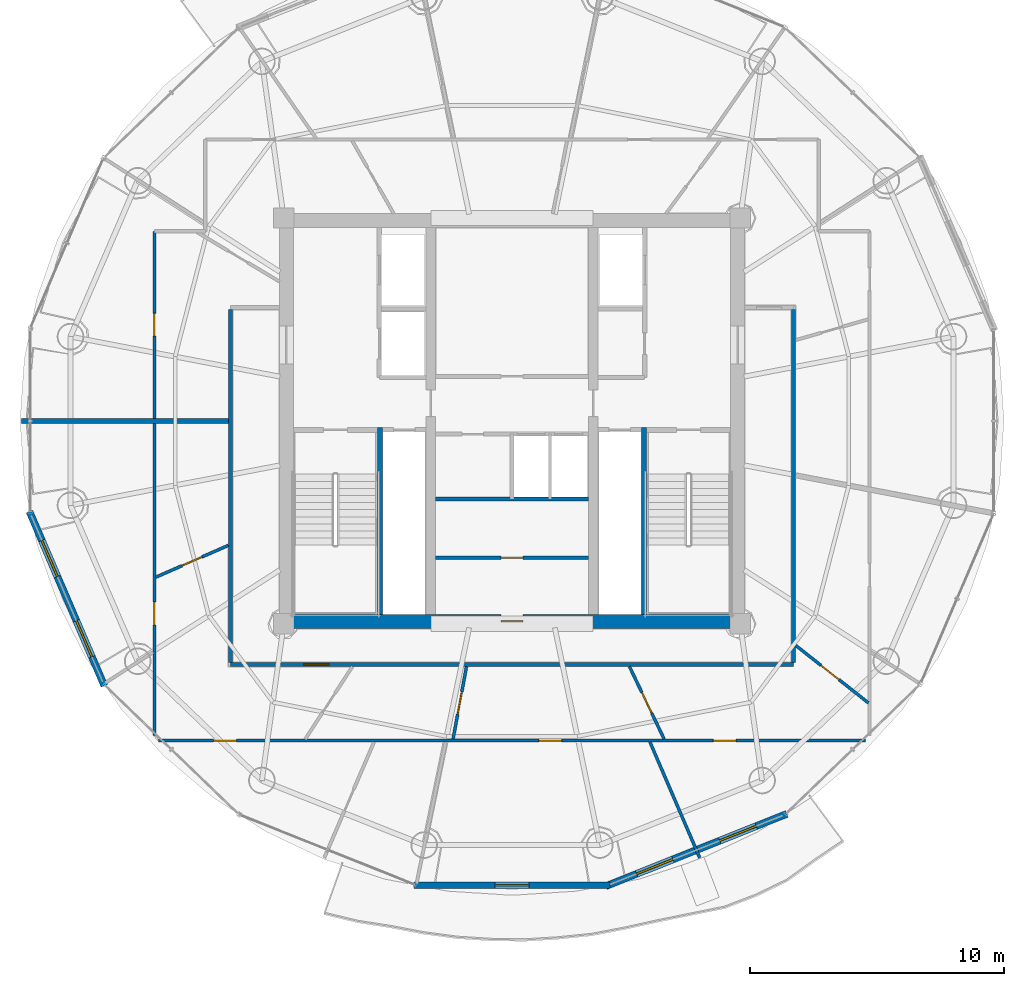
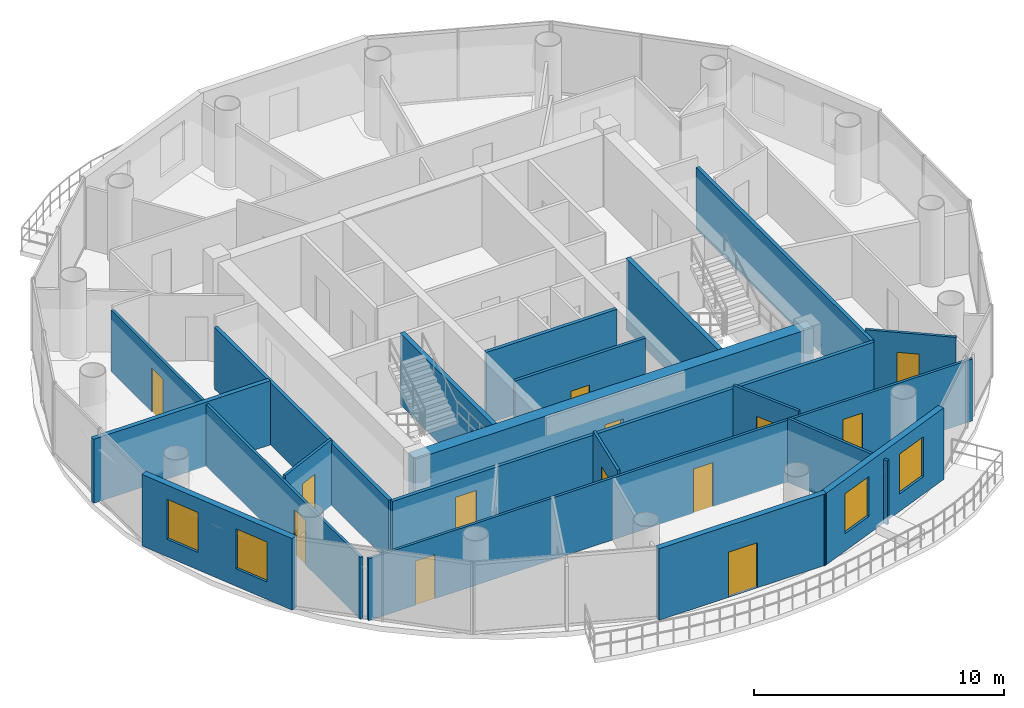
# One storey, part 17 of 24: 20 walls, 13 doors, 4 windows, 17 openings.
"""IFC4 building model written with IfcOpenShell, lengths in metres."""

from ifc_helpers import new_model, si_unit, direction, frame, frame_2d, origin, place, context, subcontext, project, spatial, rectangle, extrude, source, transform, mapped, material, layer, layer_set, type_object, element, fill, save


model = new_model("IFC4")

# Units and contexts
model_context = context("Model", 3, precision=1e-05, world=origin(), true_north=direction((-0.2419218956, 0.970295726276)))
body_context = subcontext(model_context, "Body", "Model", "MODEL_VIEW")
ifc_project = project(units=[si_unit("LENGTHUNIT", "METRE"), si_unit("AREAUNIT", "SQUARE_METRE"), si_unit("VOLUMEUNIT", "CUBIC_METRE"), si_unit("PLANEANGLEUNIT", "RADIAN"), si_unit("MASSUNIT", "GRAM", prefix="KILO")], contexts=[model_context])

# Site, building, storey
site_placement = place(None, origin())
site = spatial("IfcSite", under=ifc_project, at=site_placement, CompositionType="ELEMENT")
building_placement = place(site_placement, origin())
building = spatial("IfcBuilding", under=site, at=building_placement, Name="Cobrevalo Terracotta Tower", CompositionType="ELEMENT")
storey_placement = place(building_placement, frame((0.0, 0.0, 293.199951171875)))
storey = spatial("IfcBuildingStorey", under=building, at=storey_placement, Name="L77", CompositionType="ELEMENT", Elevation=293.199951171875)

# Wall, opening, door
ifc_material_1 = material(Name="Concrete C50", Category="concrete")
ifc_layer_1 = layer(ifc_material_1, 0.550048828125)
ifc_layer_set_1 = layer_set([ifc_layer_1], Name="Concrete C50")
wall_type_1 = type_object("IfcWallType", Name="Core shear wall 550 mm Concrete C50", PredefinedType="SHEAR", material=ifc_layer_set_1)
wall_1_placement = place(storey_placement, frame((28.824951171875, 18.89990234375, 0.0), z_axis=(0.0, 0.0, 1.0), x_axis=(1.0, 0.0, 0.0)))
wall_1 = element("IfcWall", 1, at=wall_1_placement, inside=storey, type_object=wall_type_1, Name="L77 south core shear wall", PredefinedType="SHEAR", context=body_context, shape_type="SweptSolid", body=[
    extrude(rectangle(XDim=18.35009765625, YDim=0.550048828125, at=frame_2d((9.175048828125, 0.0))), origin(), (0.0, 0.0, 1.0), 3.489990234375),
])
opening_1_placement = place(wall_1_placement, frame((8.75, 0.0, 0.0)))
opening_1 = element("IfcOpeningElement", 2, at=opening_1_placement, cuts=wall_1, Name="Opening ID-22", PredefinedType="OPENING", context=body_context, shape_type="SweptSolid", body=[
    extrude(rectangle(XDim=0.85009765625, YDim=2.10009765625, at=frame_2d((0.425048828125, 1.050048828125))), frame((0.0, 0.28515625, 0.0), z_axis=(0.0, -1.0, 0.0), x_axis=(1.0, 0.0, 0.0)), (0.0, 0.0, 1.0), 0.570068359375),
])
ifc_material_2 = material(Name="Powder-coated steel", Category="steel")
door_type_1 = type_object("IfcDoorType", Name="Riser shaft & meter closet fire access door 850x2100 EI 60", OperationType="NOTDEFINED", PredefinedType="DOOR", material=ifc_material_2)
shared_shape_1 = source(origin(), body_context, "Body", "SweptSolid", [
    extrude(rectangle(XDim=0.85009765625, YDim=2.10009765625, at=frame_2d((0.425048828125, 1.050048828125))), frame((0.0, 0.02490234375, 0.0), z_axis=(0.0, -1.0, 0.0), x_axis=(1.0, 0.0, 0.0)), (0.0, 0.0, 1.0), 0.050048828125),
])
door_1_placement = place(opening_1_placement, origin())
door_1 = element("IfcDoor", 3, at=door_1_placement, inside=storey, type_object=door_type_1, Name="L77 core south plant door Smoke Extract Fan Plant", OperationType="SINGLE_SWING_RIGHT", OverallHeight=2.10009765625, OverallWidth=0.85009765625, PredefinedType="DOOR", context=body_context, shape_type="MappedRepresentation", body=[
    mapped(shared_shape_1, transform((0.0, 0.0, 0.0), scale=1.0)),
])
fill(opening_1, door_1)

# Wall
ifc_material_3 = material(Name="Gypsum board on steel stud", Category="steel")
ifc_layer_2 = layer(ifc_material_3, 0.159912109375)
ifc_layer_set_2 = layer_set([ifc_layer_2], Name="Gypsum board on steel stud")
wall_type_2 = type_object("IfcWallType", Name="Fire-rated corridor acoustic partition wall 160 mm", PredefinedType="PARTITIONING", material=ifc_layer_set_2)
wall_2_placement = place(storey_placement, frame((34.989990234375, 23.719970703125, 0.0), z_axis=(0.0, 0.0, 1.0), x_axis=(1.0, 0.0, 0.0)))
element("IfcWall", 4, at=wall_2_placement, inside=storey, type_object=wall_type_2, Name="L77 interior partition IW-L77-MB-S", PredefinedType="PARTITIONING", context=body_context, shape_type="SweptSolid", body=[
    extrude(rectangle(XDim=6.02001953125, YDim=0.159912109375, at=frame_2d((3.010009765625, 0.0))), origin(), (0.0, 0.0, 1.0), 3.489990234375),
])

# Wall, opening, door
wall_3_placement = place(storey_placement, frame((26.89501953125, 17.195068359375, 0.0), z_axis=(0.0, 0.0, 1.0), x_axis=(1.0, 0.0, 0.0)))
wall_3 = element("IfcWall", 5, at=wall_3_placement, inside=storey, type_object=wall_type_2, Name="L77 interior partition IW-L77-COR-S", PredefinedType="PARTITIONING", context=body_context, shape_type="SweptSolid", body=[
    extrude(rectangle(XDim=22.2099609375, YDim=0.159912109375, at=frame_2d((11.10498046875, 0.0))), origin(), (0.0, 0.0, 1.0), 3.01513671875),
])
opening_2_placement = place(wall_3_placement, frame((2.90234375, 0.0, 0.0)))
opening_2 = element("IfcOpeningElement", 6, at=opening_2_placement, cuts=wall_3, Name="Opening ID-05", PredefinedType="OPENING", context=body_context, shape_type="SweptSolid", body=[
    extrude(rectangle(XDim=0.97998046875, YDim=2.199951171875, at=frame_2d((0.489990234375, 1.10009765625))), frame((0.0, 0.08984375, 0.0), z_axis=(0.0, -1.0, 0.0), x_axis=(1.0, 0.0, 0.0)), (0.0, 0.0, 1.0), 0.179931640625),
])
ifc_material_4 = material(Name="Solid hardwood timber", Category="wood")
door_type_2 = type_object("IfcDoorType", Name="Residence entrance fire-rated acoustic timber door 980x2200 EI 60", OperationType="NOTDEFINED", PredefinedType="DOOR", material=ifc_material_4)
shared_shape_2 = source(origin(), body_context, "Body", "SweptSolid", [
    extrude(rectangle(XDim=0.97998046875, YDim=2.199951171875, at=frame_2d((0.489990234375, 1.10009765625))), frame((0.0, 0.02490234375, 0.0), z_axis=(0.0, -1.0, 0.0), x_axis=(1.0, 0.0, 0.0)), (0.0, 0.0, 1.0), 0.050048828125),
])
door_2_placement = place(opening_2_placement, origin())
door_2 = element("IfcDoor", 7, at=door_2_placement, inside=storey, type_object=door_type_2, Name="Flat L77B fire-rated apartment entrance door", OperationType="SINGLE_SWING_LEFT", OverallHeight=2.199951171875, OverallWidth=0.97998046875, PredefinedType="DOOR", context=body_context, shape_type="MappedRepresentation", body=[
    mapped(shared_shape_2, transform((0.0, 0.0, 0.0), scale=1.0)),
])
fill(opening_2, door_2)

# Walls
for number, where, z_axis, x_axis, name in (
    (8, (26.89501953125, 17.27490234375, 0.0), (0.0, 0.0, 1.0), (0.0, 1.0, 0.0), "L77 interior partition IW-L77-COR-W"),
    (9, (49.10498046875, 17.27490234375, 0.0), (0.0, 0.0, 1.0), (0.0, 1.0, 0.0), "L77 interior partition IW-L77-COR-E"),
):
    element("IfcWall", number, at=place(storey_placement, frame(where, z_axis=z_axis, x_axis=x_axis)), inside=storey, type_object=wall_type_2, Name=name, PredefinedType="PARTITIONING", context=body_context, shape_type="SweptSolid", body=[
        extrude(rectangle(XDim=13.925048828125, YDim=0.159912109375, at=frame_2d((6.96240234375, 0.0))), origin(), (0.0, 0.0, 1.0), 3.01513671875),
    ])
ifc_material_5 = material(Name="Autoclaved aerated concrete block", Category="concrete")
ifc_layer_3 = layer(ifc_material_5, 0.199951171875)
ifc_layer_set_3 = layer_set([ifc_layer_3], Name="Autoclaved aerated concrete block")
wall_type_3 = type_object("IfcWallType", Name="Fire-rated stair, shaft & demising masonry wall 200 mm", PredefinedType="PARTITIONING", material=ifc_layer_set_3)
wall_4_placement = place(storey_placement, frame((26.81494140625, 26.800048828125, 0.0), z_axis=(0.0, 0.0, 1.0), x_axis=(-1.0, 0.0, 0.0)))
element("IfcWall", 10, at=wall_4_placement, inside=storey, type_object=wall_type_3, Name="L77 interior partition IW-L77-DEM-2", PredefinedType="PARTITIONING", context=body_context, shape_type="SweptSolid", body=[
    extrude(rectangle(XDim=8.155029296875, YDim=0.199951171875, at=frame_2d((4.07763671875, 0.0))), origin(), (0.0, 0.0, 1.0), 3.12109375),
])

# Wall, openings, windows
ifc_layer_4 = layer(ifc_material_5, 0.280029296875)
ifc_layer_set_4 = layer_set([ifc_layer_4], Name="Autoclaved aerated concrete block")
wall_type_4 = type_object("IfcWallType", Name="Insulated tower spandrel & pier wall 280 mm with terracotta rainscreen", PredefinedType="SOLIDWALL", material=ifc_layer_set_4)
wall_5_placement = place(storey_placement, frame((18.970703125, 23.231201171875, 0.0), z_axis=(0.0, 0.0, 1.0), x_axis=(0.394816612978, -0.918759948037, 0.0)))
wall_5 = element("IfcWall", 11, at=wall_5_placement, inside=storey, type_object=wall_type_4, Name="L77 terracotta rainscreen pier wall S09", PredefinedType="SOLIDWALL", context=body_context, shape_type="SweptSolid", body=[
    extrude(rectangle(XDim=7.4853515625, YDim=0.280029296875, at=frame_2d((3.74267578125, 0.0))), origin(), (0.0, 0.0, 1.0), 3.489990234375),
])
opening_3_placement = place(wall_5_placement, frame((1.24609375, 0.0, 0.85009765625)))
opening_3 = element("IfcOpeningElement", 12, at=opening_3_placement, cuts=wall_5, Name="Opening WN-12", PredefinedType="OPENING", context=body_context, shape_type="SweptSolid", body=[
    extrude(rectangle(XDim=1.550048828125, YDim=1.949951171875, at=frame_2d((0.77490234375, 0.97509765625))), frame((0.0, 0.14990234375, 0.0), z_axis=(0.0, -1.0, 0.0), x_axis=(1.0, 0.0, 0.0)), (0.0, 0.0, 1.0), 0.300048828125),
])
opening_4_placement = place(wall_5_placement, frame((4.689208984375, 0.0, 0.85009765625)))
opening_4 = element("IfcOpeningElement", 13, at=opening_4_placement, cuts=wall_5, Name="Opening WN-12", PredefinedType="OPENING", context=body_context, shape_type="SweptSolid", body=[
    extrude(rectangle(XDim=1.550048828125, YDim=1.949951171875, at=frame_2d((0.77490234375, 0.97509765625))), frame((0.0, 0.14990234375, 0.0), z_axis=(0.0, -1.0, 0.0), x_axis=(1.0, 0.0, 0.0)), (0.0, 0.0, 1.0), 0.300048828125),
])
ifc_material_6 = material(Name="Solar-control low-E double glazing", Category="glass")
window_type = type_object("IfcWindowType", Name="Solar-control low-E aluminium window 1550x1950", PartitioningType="SINGLE_PANEL", PredefinedType="WINDOW", material=ifc_material_6)
shared_shape_3 = source(origin(), body_context, "Body", "SweptSolid", [
    extrude(rectangle(XDim=1.550048828125, YDim=1.949951171875, at=frame_2d((0.77490234375, 0.97509765625))), frame((0.0, 0.030029296875, 0.0), z_axis=(0.0, -1.0, 0.0), x_axis=(1.0, 0.0, 0.0)), (0.0, 0.0, 1.0), 0.06005859375),
])
window_1_placement = place(opening_3_placement, origin())
window_1 = element("IfcWindow", 14, at=window_1_placement, inside=storey, type_object=window_type, Name="L77 suite window S09A", OverallHeight=1.949951171875, OverallWidth=1.550048828125, PartitioningType="SINGLE_PANEL", PredefinedType="WINDOW", context=body_context, shape_type="MappedRepresentation", body=[
    mapped(shared_shape_3, transform((0.0, 0.0, 0.0), scale=1.0)),
])
fill(opening_3, window_1)
window_2_placement = place(opening_4_placement, origin())
window_2 = element("IfcWindow", 15, at=window_2_placement, inside=storey, type_object=window_type, Name="L77 suite window S09B", OverallHeight=1.949951171875, OverallWidth=1.550048828125, PartitioningType="SINGLE_PANEL", PredefinedType="WINDOW", context=body_context, shape_type="MappedRepresentation", body=[
    mapped(shared_shape_3, transform((0.0, 0.0, 0.0), scale=1.0)),
])
fill(opening_4, window_2)

wall_6_placement = place(storey_placement, frame((41.70458984375, 8.458984375, 0.0), z_axis=(0.0, 0.0, 1.0), x_axis=(0.92871332341, 0.370798547626, 0.0)))
wall_6 = element("IfcWall", 16, at=wall_6_placement, inside=storey, type_object=wall_type_4, Name="L77 terracotta rainscreen pier wall S13", PredefinedType="SOLIDWALL", context=body_context, shape_type="SweptSolid", body=[
    extrude(rectangle(XDim=7.678466796875, YDim=0.280029296875, at=frame_2d((3.83935546875, 0.0))), origin(), (0.0, 0.0, 1.0), 3.489990234375),
])
opening_5_placement = place(wall_6_placement, frame((1.298095703125, 0.0, 0.85009765625)))
opening_5 = element("IfcOpeningElement", 17, at=opening_5_placement, cuts=wall_6, Name="Opening WN-12", PredefinedType="OPENING", context=body_context, shape_type="SweptSolid", body=[
    extrude(rectangle(XDim=1.550048828125, YDim=1.949951171875, at=frame_2d((0.77490234375, 0.97509765625))), frame((0.0, 0.14990234375, 0.0), z_axis=(0.0, -1.0, 0.0), x_axis=(1.0, 0.0, 0.0)), (0.0, 0.0, 1.0), 0.300048828125),
])
opening_6_placement = place(wall_6_placement, frame((4.830078125, 0.0, 0.85009765625)))
opening_6 = element("IfcOpeningElement", 18, at=opening_6_placement, cuts=wall_6, Name="Opening WN-12", PredefinedType="OPENING", context=body_context, shape_type="SweptSolid", body=[
    extrude(rectangle(XDim=1.550048828125, YDim=1.949951171875, at=frame_2d((0.77490234375, 0.97509765625))), frame((0.0, 0.14990234375, 0.0), z_axis=(0.0, -1.0, 0.0), x_axis=(1.0, 0.0, 0.0)), (0.0, 0.0, 1.0), 0.300048828125),
])
window_3_placement = place(opening_5_placement, origin())
window_3 = element("IfcWindow", 19, at=window_3_placement, inside=storey, type_object=window_type, Name="L77 suite window S13A", OverallHeight=1.949951171875, OverallWidth=1.550048828125, PartitioningType="SINGLE_PANEL", PredefinedType="WINDOW", context=body_context, shape_type="MappedRepresentation", body=[
    mapped(shared_shape_3, transform((0.0, 0.0, 0.0), scale=1.0)),
])
fill(opening_5, window_3)
window_4_placement = place(opening_6_placement, origin())
window_4 = element("IfcWindow", 20, at=window_4_placement, inside=storey, type_object=window_type, Name="L77 suite window S13B", OverallHeight=1.949951171875, OverallWidth=1.550048828125, PartitioningType="SINGLE_PANEL", PredefinedType="WINDOW", context=body_context, shape_type="MappedRepresentation", body=[
    mapped(shared_shape_3, transform((0.0, 0.0, 0.0), scale=1.0)),
])
fill(opening_6, window_4)

# Wall, opening, door
ifc_layer_5 = layer(ifc_material_5, 0.139892578125)
ifc_layer_set_5 = layer_set([ifc_layer_5], Name="Autoclaved aerated concrete block")
wall_type_5 = type_object("IfcWallType", Name="Moisture-resistant wet-room & core service partition 140 mm", PredefinedType="PARTITIONING", material=ifc_layer_set_5)
wall_7_placement = place(storey_placement, frame((34.989990234375, 21.407470703125, 0.0), z_axis=(0.0, 0.0, 1.0), x_axis=(1.0, 0.0, 0.0)))
wall_7 = element("IfcWall", 21, at=wall_7_placement, inside=storey, type_object=wall_type_5, Name="L77 interior partition IW-L77-KVS-H", PredefinedType="PARTITIONING", context=body_context, shape_type="SweptSolid", body=[
    extrude(rectangle(XDim=6.02001953125, YDim=0.139892578125, at=frame_2d((3.010009765625, 0.0))), origin(), (0.0, 0.0, 1.0), 3.489990234375),
])
opening_7_placement = place(wall_7_placement, frame((2.5849609375, 0.0, 0.0)))
opening_7 = element("IfcOpeningElement", 22, at=opening_7_placement, cuts=wall_7, Name="Opening ID-22", PredefinedType="OPENING", context=body_context, shape_type="SweptSolid", body=[
    extrude(rectangle(XDim=0.85009765625, YDim=2.10009765625, at=frame_2d((0.425048828125, 1.050048828125))), frame((0.0, 0.080078125, 0.0), z_axis=(0.0, -1.0, 0.0), x_axis=(1.0, 0.0, 0.0)), (0.0, 0.0, 1.0), 0.159912109375),
])
door_3_placement = place(opening_7_placement, origin())
door_3 = element("IfcDoor", 23, at=door_3_placement, inside=storey, type_object=door_type_1, Name="L77 core manifold inner door", OperationType="SINGLE_SWING_LEFT", OverallHeight=2.10009765625, OverallWidth=0.85009765625, PredefinedType="DOOR", context=body_context, shape_type="MappedRepresentation", body=[
    mapped(shared_shape_1, transform((0.0, 0.0, 0.0), scale=1.0)),
])
fill(opening_7, door_3)

ifc_layer_6 = layer(ifc_material_5, 0.260009765625)
ifc_layer_set_6 = layer_set([ifc_layer_6], Name="Autoclaved aerated concrete block")
wall_type_6 = type_object("IfcWallType", Name="Recessed balcony loggia insulated exterior wall 260 mm", PredefinedType="SOLIDWALL", material=ifc_layer_set_6)
wall_8_placement = place(storey_placement, frame((34.14111328125, 8.48876953125, 0.0), z_axis=(0.0, 0.0, 1.0), x_axis=(1.0, 0.0, 0.0)))
wall_8 = element("IfcWall", 24, at=wall_8_placement, inside=storey, type_object=wall_type_6, Name="L77 balcony loggia wall S12", PredefinedType="SOLIDWALL", context=body_context, shape_type="SweptSolid", body=[
    extrude(rectangle(XDim=7.7177734375, YDim=0.260009765625, at=frame_2d((3.85888671875, 0.0))), origin(), (0.0, 0.0, 1.0), 3.489990234375),
])
opening_8_placement = place(wall_8_placement, frame((3.183837890625, 0.0, 0.0)))
opening_8 = element("IfcOpeningElement", 25, at=opening_8_placement, cuts=wall_8, Name="Opening ED-05", PredefinedType="OPENING", context=body_context, shape_type="SweptSolid", body=[
    extrude(rectangle(XDim=1.35009765625, YDim=2.199951171875, at=frame_2d((0.675048828125, 1.10009765625))), frame((0.0, 0.14013671875, 0.0), z_axis=(0.0, -1.0, 0.0), x_axis=(1.0, 0.0, 0.0)), (0.0, 0.0, 1.0), 0.280029296875),
])
ifc_material_7 = material(Name="Anodized aluminium and laminated glass", Category="aluminium")
door_type_3 = type_object("IfcDoorType", Name="Suite balcony acoustic glazed terrace door 1350x2200", OperationType="NOTDEFINED", PredefinedType="DOOR", material=ifc_material_7)
shared_shape_4 = source(origin(), body_context, "Body", "SweptSolid", [
    extrude(rectangle(XDim=1.35009765625, YDim=2.199951171875, at=frame_2d((0.675048828125, 1.10009765625))), frame((0.0, 0.02490234375, 0.0), z_axis=(0.0, -1.0, 0.0), x_axis=(1.0, 0.0, 0.0)), (0.0, 0.0, 1.0), 0.050048828125),
])
door_4_placement = place(opening_8_placement, frame((1.35009765625, 0.0, 0.0), z_axis=(0.0, 0.0, 1.0), x_axis=(-1.0, 0.0, 0.0)))
door_4 = element("IfcDoor", 26, at=door_4_placement, inside=storey, type_object=door_type_3, Name="L77 glazed balcony terrace door 2", OperationType="SINGLE_SWING_RIGHT", OverallHeight=2.199951171875, OverallWidth=1.35009765625, PredefinedType="DOOR", context=body_context, shape_type="MappedRepresentation", body=[
    mapped(shared_shape_4, transform((0.0, 0.0, 0.0), scale=1.0)),
])
fill(opening_8, door_4)

ifc_layer_7 = layer(ifc_material_3, 0.1201171875)
ifc_layer_set_7 = layer_set([ifc_layer_7], Name="Gypsum board on steel stud")
wall_type_7 = type_object("IfcWallType", Name="Residential internal acoustic stud partition 120 mm", PredefinedType="PARTITIONING", material=ifc_layer_set_7)
wall_9_placement = place(storey_placement, frame((23.89501953125, 26.902099609375, 0.0), z_axis=(0.0, 0.0, 1.0), x_axis=(0.0, 1.0, 0.0)))
wall_9 = element("IfcWall", 27, at=wall_9_placement, inside=storey, type_object=wall_type_7, Name="L77 interior partition IW-L77-U1-RING0_0", PredefinedType="PARTITIONING", context=body_context, shape_type="SweptSolid", body=[
    extrude(rectangle(XDim=7.3779296875, YDim=0.1201171875, at=frame_2d((3.68896484375, 0.0))), origin(), (0.0, 0.0, 1.0), 3.01513671875),
])
opening_9_placement = place(wall_9_placement, frame((3.239013671875, 0.0, 0.0)))
opening_9 = element("IfcOpeningElement", 28, at=opening_9_placement, cuts=wall_9, Name="Opening ID-12", PredefinedType="OPENING", context=body_context, shape_type="SweptSolid", body=[
    extrude(rectangle(XDim=0.89990234375, YDim=2.14990234375, at=frame_2d((0.449951171875, 1.074951171875))), frame((0.0, 0.070068359375, 0.0), z_axis=(0.0, -1.0, 0.0), x_axis=(1.0, 0.0, 0.0)), (0.0, 0.0, 1.0), 0.14013671875),
])
ifc_material_8 = material(Name="Engineered timber", Category="wood")
door_type_4 = type_object("IfcDoorType", Name="Internal residence & suite timber door 900x2150", OperationType="NOTDEFINED", PredefinedType="DOOR", material=ifc_material_8)
shared_shape_5 = source(origin(), body_context, "Body", "SweptSolid", [
    extrude(rectangle(XDim=0.89990234375, YDim=2.14990234375, at=frame_2d((0.449951171875, 1.074951171875))), frame((0.0, 0.02490234375, 0.0), z_axis=(0.0, -1.0, 0.0), x_axis=(1.0, 0.0, 0.0)), (0.0, 0.0, 1.0), 0.050048828125),
])
door_5_placement = place(opening_9_placement, origin())
door_5 = element("IfcDoor", 29, at=door_5_placement, inside=storey, type_object=door_type_4, Name="Flat L77A Private Cinema Room internal door", OperationType="SINGLE_SWING_RIGHT", OverallHeight=2.14990234375, OverallWidth=0.89990234375, PredefinedType="DOOR", context=body_context, shape_type="MappedRepresentation", body=[
    mapped(shared_shape_5, transform((0.0, 0.0, 0.0), scale=1.0)),
])
fill(opening_9, door_5)

# Wall, openings, doors
wall_10_placement = place(storey_placement, frame((51.92919921875, 14.195068359375, 0.0), z_axis=(0.0, 0.0, 1.0), x_axis=(-1.0, 0.0, 0.0)))
wall_10 = element("IfcWall", 30, at=wall_10_placement, inside=storey, type_object=wall_type_7, Name="L77 interior partition IW-L77-U2-RING0_0", PredefinedType="PARTITIONING", context=body_context, shape_type="SweptSolid", body=[
    extrude(rectangle(XDim=27.8583984375, YDim=0.1201171875, at=frame_2d((13.92919921875, 0.0))), origin(), (0.0, 0.0, 1.0), 3.01513671875),
])
opening_10_placement = place(wall_10_placement, frame((24.796630859375, 0.0, 0.0)))
opening_10 = element("IfcOpeningElement", 31, at=opening_10_placement, cuts=wall_10, Name="Opening ID-12", PredefinedType="OPENING", context=body_context, shape_type="SweptSolid", body=[
    extrude(rectangle(XDim=0.89990234375, YDim=2.14990234375, at=frame_2d((0.449951171875, 1.074951171875))), frame((0.0, 0.070068359375, 0.0), z_axis=(0.0, -1.0, 0.0), x_axis=(1.0, 0.0, 0.0)), (0.0, 0.0, 1.0), 0.14013671875),
])
opening_11_placement = place(wall_10_placement, frame((11.9677734375, 0.0, 0.0)))
opening_11 = element("IfcOpeningElement", 32, at=opening_11_placement, cuts=wall_10, Name="Opening ID-12", PredefinedType="OPENING", context=body_context, shape_type="SweptSolid", body=[
    extrude(rectangle(XDim=0.89990234375, YDim=2.14990234375, at=frame_2d((0.449951171875, 1.074951171875))), frame((0.0, 0.070068359375, 0.0), z_axis=(0.0, -1.0, 0.0), x_axis=(1.0, 0.0, 0.0)), (0.0, 0.0, 1.0), 0.14013671875),
])
opening_12_placement = place(wall_10_placement, frame((5.09228515625, 0.0, 0.0)))
opening_12 = element("IfcOpeningElement", 33, at=opening_12_placement, cuts=wall_10, Name="Opening ID-12", PredefinedType="OPENING", context=body_context, shape_type="SweptSolid", body=[
    extrude(rectangle(XDim=0.89990234375, YDim=2.14990234375, at=frame_2d((0.449951171875, 1.074951171875))), frame((0.0, 0.070068359375, 0.0), z_axis=(0.0, -1.0, 0.0), x_axis=(1.0, 0.0, 0.0)), (0.0, 0.0, 1.0), 0.14013671875),
])
door_6_placement = place(opening_10_placement, origin())
door_6 = element("IfcDoor", 34, at=door_6_placement, inside=storey, type_object=door_type_4, Name="Flat L77B Master Bedroom internal door", OperationType="SINGLE_SWING_RIGHT", OverallHeight=2.14990234375, OverallWidth=0.89990234375, PredefinedType="DOOR", context=body_context, shape_type="MappedRepresentation", body=[
    mapped(shared_shape_5, transform((0.0, 0.0, 0.0), scale=1.0)),
])
fill(opening_10, door_6)
door_7_placement = place(opening_11_placement, origin())
door_7 = element("IfcDoor", 35, at=door_7_placement, inside=storey, type_object=door_type_4, Name="Flat L77B Principal Guest Bedroom internal door", OperationType="SINGLE_SWING_RIGHT", OverallHeight=2.14990234375, OverallWidth=0.89990234375, PredefinedType="DOOR", context=body_context, shape_type="MappedRepresentation", body=[
    mapped(shared_shape_5, transform((0.0, 0.0, 0.0), scale=1.0)),
])
fill(opening_11, door_7)
door_8_placement = place(opening_12_placement, origin())
door_8 = element("IfcDoor", 36, at=door_8_placement, inside=storey, type_object=door_type_4, Name="Flat L77B South Bedroom internal door", OperationType="SINGLE_SWING_LEFT", OverallHeight=2.14990234375, OverallWidth=0.89990234375, PredefinedType="DOOR", context=body_context, shape_type="MappedRepresentation", body=[
    mapped(shared_shape_5, transform((0.0, 0.0, 0.0), scale=1.0)),
])
fill(opening_12, door_8)

# Wall, opening, door
wall_11_placement = place(storey_placement, frame((23.89501953125, 14.38818359375, 0.0), z_axis=(0.0, 0.0, 1.0), x_axis=(0.0, 1.0, 0.0)))
wall_11 = element("IfcWall", 37, at=wall_11_placement, inside=storey, type_object=wall_type_7, Name="L77 interior partition IW-L77-U2-RING1_0", PredefinedType="PARTITIONING", context=body_context, shape_type="SweptSolid", body=[
    extrude(rectangle(XDim=12.309814453125, YDim=0.1201171875, at=frame_2d((6.15478515625, 0.0))), origin(), (0.0, 0.0, 1.0), 3.01513671875),
])
opening_13_placement = place(wall_11_placement, frame((4.366943359375, 0.0, 0.0)))
opening_13 = element("IfcOpeningElement", 38, at=opening_13_placement, cuts=wall_11, Name="Opening ID-12", PredefinedType="OPENING", context=body_context, shape_type="SweptSolid", body=[
    extrude(rectangle(XDim=0.89990234375, YDim=2.14990234375, at=frame_2d((0.449951171875, 1.074951171875))), frame((0.0, 0.070068359375, 0.0), z_axis=(0.0, -1.0, 0.0), x_axis=(1.0, 0.0, 0.0)), (0.0, 0.0, 1.0), 0.14013671875),
])
door_9_placement = place(opening_13_placement, origin())
door_9 = element("IfcDoor", 39, at=door_9_placement, inside=storey, type_object=door_type_4, Name="Flat L77B Living and Dining Room internal door", OperationType="SINGLE_SWING_LEFT", OverallHeight=2.14990234375, OverallWidth=0.89990234375, PredefinedType="DOOR", context=body_context, shape_type="MappedRepresentation", body=[
    mapped(shared_shape_5, transform((0.0, 0.0, 0.0), scale=1.0)),
])
fill(opening_13, door_9)

# Wall
wall_12_placement = place(storey_placement, frame((43.441162109375, 14.137939453125, 0.0), z_axis=(0.0, 0.0, 1.0), x_axis=(0.394786072864, -0.918773071369, 0.0)))
element("IfcWall", 40, at=wall_12_placement, inside=storey, type_object=wall_type_7, Name="L77 interior partition IW-L77-U2-ORAD4", PredefinedType="PARTITIONING", context=body_context, shape_type="SweptSolid", body=[
    extrude(rectangle(XDim=4.962158203125, YDim=0.1201171875, at=frame_2d((2.48095703125, 0.0))), origin(), (0.0, 0.0, 1.0), 3.12109375),
])

# Wall, opening, door
wall_13_placement = place(storey_placement, frame((26.81494140625, 21.893798828125, 0.0), z_axis=(0.0, 0.0, 1.0), x_axis=(-0.915755452884, -0.401736170284, 0.0)))
wall_13 = element("IfcWall", 41, at=wall_13_placement, inside=storey, type_object=wall_type_7, Name="L77 interior partition IW-L77-U2-IRAD1", PredefinedType="PARTITIONING", context=body_context, shape_type="SweptSolid", body=[
    extrude(rectangle(XDim=3.126708984375, YDim=0.1201171875, at=frame_2d((1.5634765625, 0.0))), origin(), (0.0, 0.0, 1.0), 3.208984375),
])
opening_14_placement = place(wall_13_placement, frame((1.13330078125, 0.0, 0.0)))
opening_14 = element("IfcOpeningElement", 42, at=opening_14_placement, cuts=wall_13, Name="Opening ID-19", PredefinedType="OPENING", context=body_context, shape_type="SweptSolid", body=[
    extrude(rectangle(XDim=0.860107421875, YDim=2.14990234375, at=frame_2d((0.43017578125, 1.074951171875))), frame((0.0, 0.070068359375, 0.0), z_axis=(0.0, -1.0, 0.0), x_axis=(1.0, 0.0, 0.0)), (0.0, 0.0, 1.0), 0.14013671875),
])
ifc_material_9 = material(Name="Moisture-sealed timber", Category="wood")
door_type_5 = type_object("IfcDoorType", Name="Suite bathroom internal timber door 860x2150", OperationType="NOTDEFINED", PredefinedType="DOOR", material=ifc_material_9)
shared_shape_6 = source(origin(), body_context, "Body", "SweptSolid", [
    extrude(rectangle(XDim=0.860107421875, YDim=2.14990234375, at=frame_2d((0.43017578125, 1.074951171875))), frame((0.0, 0.02490234375, 0.0), z_axis=(0.0, -1.0, 0.0), x_axis=(1.0, 0.0, 0.0)), (0.0, 0.0, 1.0), 0.050048828125),
])
door_10_placement = place(opening_14_placement, frame((0.860107421875, 0.0, 0.0), z_axis=(0.0, 0.0, 1.0), x_axis=(-1.0, 0.0, 0.0)))
door_10 = element("IfcDoor", 43, at=door_10_placement, inside=storey, type_object=door_type_5, Name="Flat L77B Primary Bathroom internal door", OperationType="SINGLE_SWING_RIGHT", OverallHeight=2.14990234375, OverallWidth=0.860107421875, PredefinedType="DOOR", context=body_context, shape_type="MappedRepresentation", body=[
    mapped(shared_shape_6, transform((0.0, 0.0, 0.0), scale=1.0)),
])
fill(opening_14, door_10)

wall_14_placement = place(storey_placement, frame((36.205810546875, 17.114990234375, 0.0), z_axis=(0.0, 0.0, 1.0), x_axis=(-0.182194488266, -0.983262512479, 0.0)))
wall_14 = element("IfcWall", 44, at=wall_14_placement, inside=storey, type_object=wall_type_7, Name="L77 interior partition IW-L77-U2-IRAD3", PredefinedType="PARTITIONING", context=body_context, shape_type="SweptSolid", body=[
    extrude(rectangle(XDim=2.90771484375, YDim=0.1201171875, at=frame_2d((1.453857421875, 0.0))), origin(), (0.0, 0.0, 1.0), 3.208984375),
])
opening_15_placement = place(wall_14_placement, frame((1.00390625, 0.0, 0.0)))
opening_15 = element("IfcOpeningElement", 45, at=opening_15_placement, cuts=wall_14, Name="Opening ID-12", PredefinedType="OPENING", context=body_context, shape_type="SweptSolid", body=[
    extrude(rectangle(XDim=0.89990234375, YDim=2.14990234375, at=frame_2d((0.449951171875, 1.074951171875))), frame((0.0, 0.070068359375, 0.0), z_axis=(0.0, -1.0, 0.0), x_axis=(1.0, 0.0, 0.0)), (0.0, 0.0, 1.0), 0.14013671875),
])
door_11_placement = place(opening_15_placement, origin())
door_11 = element("IfcDoor", 46, at=door_11_placement, inside=storey, type_object=door_type_4, Name="Flat L77B Utility Closet internal door", OperationType="SINGLE_SWING_LEFT", OverallHeight=2.14990234375, OverallWidth=0.89990234375, PredefinedType="DOOR", context=body_context, shape_type="MappedRepresentation", body=[
    mapped(shared_shape_5, transform((0.0, 0.0, 0.0), scale=1.0)),
])
fill(opening_15, door_11)

wall_15_placement = place(storey_placement, frame((42.632080078125, 17.114990234375, 0.0), z_axis=(0.0, 0.0, 1.0), x_axis=(0.431425564071, -0.902148536919, 0.0)))
wall_15 = element("IfcWall", 47, at=wall_15_placement, inside=storey, type_object=wall_type_7, Name="L77 interior partition IW-L77-U2-IRAD4", PredefinedType="PARTITIONING", context=body_context, shape_type="SweptSolid", body=[
    extrude(rectangle(XDim=3.174560546875, YDim=0.1201171875, at=frame_2d((1.58740234375, 0.0))), origin(), (0.0, 0.0, 1.0), 3.208984375),
])
opening_16_placement = place(wall_15_placement, frame((1.137451171875, 0.0, 0.0)))
opening_16 = element("IfcOpeningElement", 48, at=opening_16_placement, cuts=wall_15, Name="Opening ID-12", PredefinedType="OPENING", context=body_context, shape_type="SweptSolid", body=[
    extrude(rectangle(XDim=0.89990234375, YDim=2.14990234375, at=frame_2d((0.449951171875, 1.074951171875))), frame((0.0, 0.070068359375, 0.0), z_axis=(0.0, -1.0, 0.0), x_axis=(1.0, 0.0, 0.0)), (0.0, 0.0, 1.0), 0.14013671875),
])
door_12_placement = place(opening_16_placement, origin())
door_12 = element("IfcDoor", 49, at=door_12_placement, inside=storey, type_object=door_type_4, Name="Flat L77B Private Library Meeting Room internal door", OperationType="SINGLE_SWING_RIGHT", OverallHeight=2.14990234375, OverallWidth=0.89990234375, PredefinedType="DOOR", context=body_context, shape_type="MappedRepresentation", body=[
    mapped(shared_shape_5, transform((0.0, 0.0, 0.0), scale=1.0)),
])
fill(opening_16, door_12)

wall_16_placement = place(storey_placement, frame((49.18505859375, 17.951904296875, 0.0), z_axis=(0.0, 0.0, 1.0), x_axis=(0.784266179732, -0.620424499297, 0.0)))
wall_16 = element("IfcWall", 50, at=wall_16_placement, inside=storey, type_object=wall_type_7, Name="L77 interior partition IW-L77-U2-IRAD5", PredefinedType="PARTITIONING", context=body_context, shape_type="SweptSolid", body=[
    extrude(rectangle(XDim=3.6611328125, YDim=0.1201171875, at=frame_2d((1.83056640625, 0.0))), origin(), (0.0, 0.0, 1.0), 3.12109375),
])
opening_17_placement = place(wall_16_placement, frame((1.27880859375, 0.0, 0.0)))
opening_17 = element("IfcOpeningElement", 51, at=opening_17_placement, cuts=wall_16, Name="Opening ID-12", PredefinedType="OPENING", context=body_context, shape_type="SweptSolid", body=[
    extrude(rectangle(XDim=0.89990234375, YDim=2.14990234375, at=frame_2d((0.449951171875, 1.074951171875))), frame((0.0, 0.070068359375, 0.0), z_axis=(0.0, -1.0, 0.0), x_axis=(1.0, 0.0, 0.0)), (0.0, 0.0, 1.0), 0.14013671875),
])
door_13_placement = place(opening_17_placement, origin())
door_13 = element("IfcDoor", 52, at=door_13_placement, inside=storey, type_object=door_type_4, Name="Flat L77B Private Cinema Lounge internal door", OperationType="SINGLE_SWING_LEFT", OverallHeight=2.14990234375, OverallWidth=0.89990234375, PredefinedType="DOOR", context=body_context, shape_type="MappedRepresentation", body=[
    mapped(shared_shape_5, transform((0.0, 0.0, 0.0), scale=1.0)),
])
fill(opening_17, door_13)

# Walls
ifc_layer_8 = layer(ifc_material_1, 0.199951171875)
ifc_layer_set_8 = layer_set([ifc_layer_8], Name="Concrete C50")
wall_type_8 = type_object("IfcWallType", Name="Structural core & podium stair-shaft RC wall 200 mm Concrete C50", PredefinedType="SOLIDWALL", material=ifc_layer_set_8)
for number, where, z_axis, x_axis, name in (
    (53, (32.794921875, 19.175048828125, 0.0), (0.0, 0.0, 1.0), (0.0, 1.0, 0.0), "L77 ST-1 east structural shaft wall"),
    (54, (43.205078125, 19.175048828125, 0.0), (0.0, 0.0, 1.0), (0.0, 1.0, 0.0), "L77 ST-2 west structural shaft wall"),
):
    element("IfcWall", number, at=place(storey_placement, frame(where, z_axis=z_axis, x_axis=x_axis)), inside=storey, type_object=wall_type_8, Name=name, PredefinedType="SOLIDWALL", context=body_context, shape_type="SweptSolid", body=[
        extrude(rectangle(XDim=7.375, YDim=0.199951171875, at=frame_2d((3.6875, 0.0))), origin(), (0.0, 0.0, 1.0), 3.489990234375),
    ])

save(model, "model.ifc")
